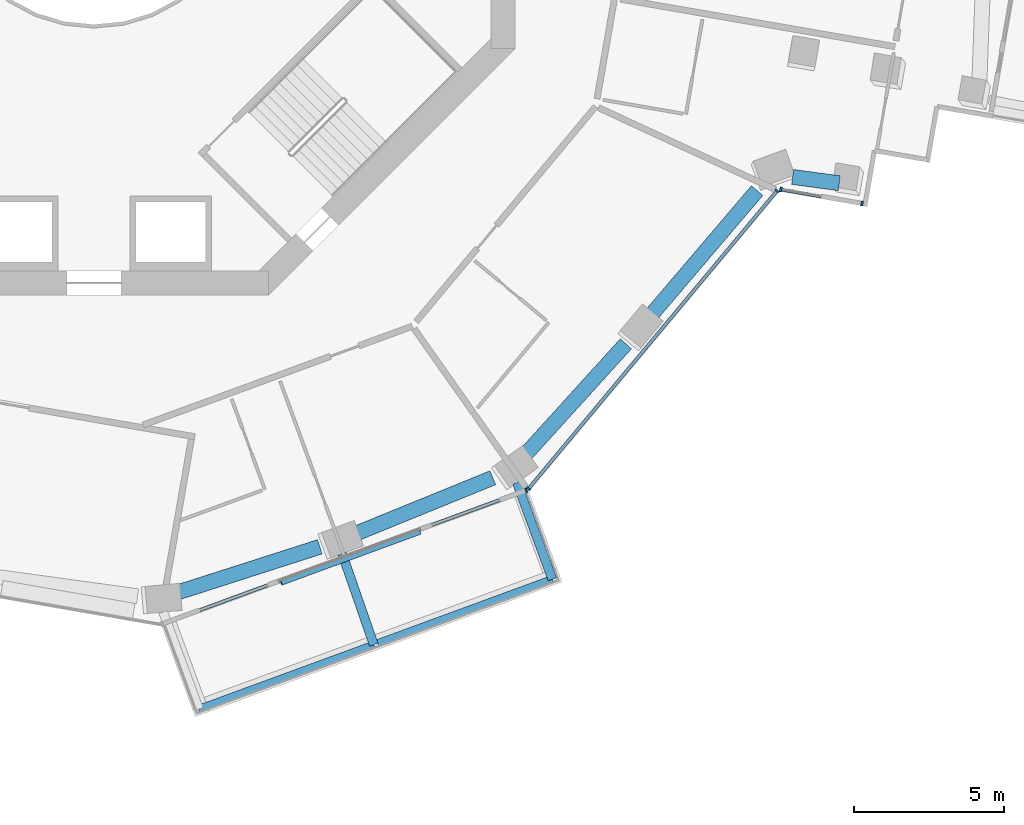
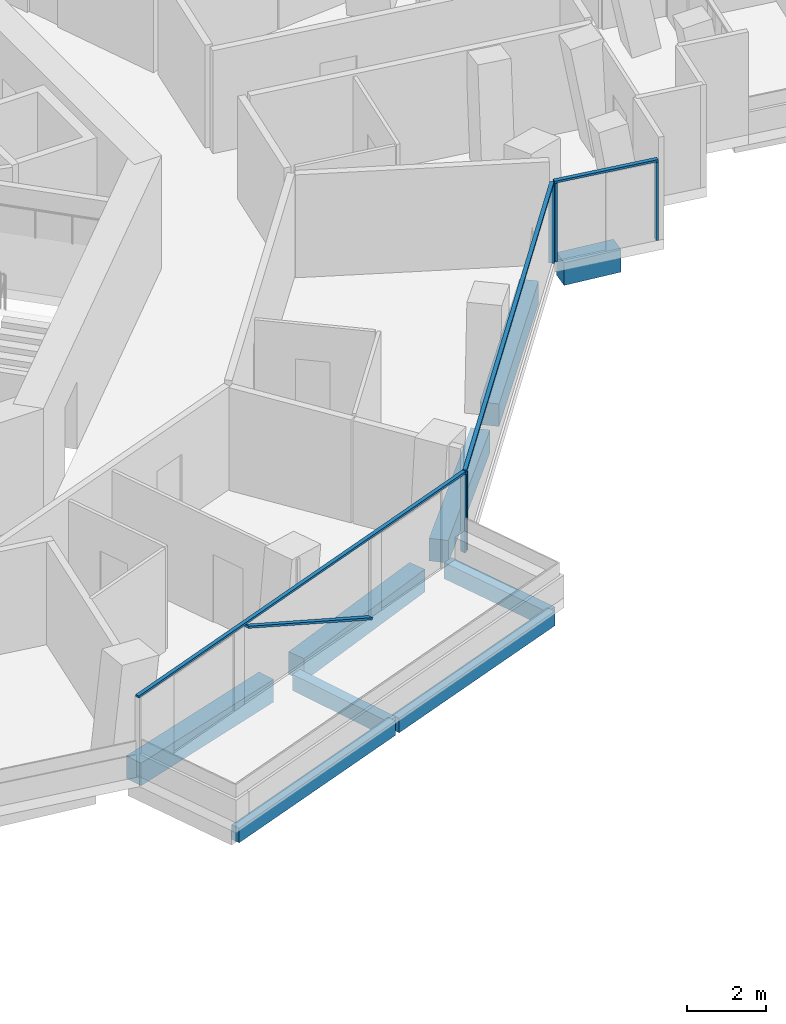
# One storey, part 5 of 24: 9 beams, 9 members, 3 elements without a shape of their own.
"""IFC4 building model written with IfcOpenShell, lengths in metres."""

from ifc_helpers import new_model, si_unit, direction, frame, origin, origin_2d, place, context, subcontext, project, spatial, rectangle, extrude, material, layer, layer_set, material_profile, profile_set, type_object, element, aggregate, save


model = new_model("IFC4")

# Units and contexts
model_context = context("Model", 3, precision=1e-05, world=origin(), true_north=direction((0.0, 1.0)))
body_context = subcontext(model_context, "Body", "Model", "MODEL_VIEW")
ifc_project = project(units=[si_unit("LENGTHUNIT", "METRE"), si_unit("AREAUNIT", "SQUARE_METRE"), si_unit("VOLUMEUNIT", "CUBIC_METRE"), si_unit("PLANEANGLEUNIT", "RADIAN"), si_unit("MASSUNIT", "GRAM", prefix="KILO")], contexts=[model_context])

# Site, building, storey
site_placement = place(None, origin())
site = spatial("IfcSite", under=ifc_project, at=site_placement, CompositionType="ELEMENT")
building_placement = place(site_placement, origin())
building = spatial("IfcBuilding", under=site, at=building_placement, Name="Verdalira Terraces Hotel", CompositionType="ELEMENT")
storey_placement = place(building_placement, frame((0.0, 0.0, 115.0)))
storey = spatial("IfcBuildingStorey", under=building, at=storey_placement, Name="L27", CompositionType="ELEMENT", Elevation=115.0)

# Beams
ifc_material_1 = material(Name="Concrete C40", Category="concrete")
ifc_material_profile_1 = material_profile(ifc_material_1, rectangle(XDim=0.300049, YDim=0.5, at=origin_2d()), Name="RC 300X500")
ifc_profile_set_1 = profile_set([ifc_material_profile_1], Name="Concrete C40")
beam_type_1 = type_object("IfcBeamType", Name="Balcony cantilever beam RC 300X500 C40", PredefinedType="BEAM", material=ifc_profile_set_1)
beam_1_placement = place(storey_placement, frame((8.251465, -22.598633, -0.560059), z_axis=(0.328875585, -0.944373258, 0.0), x_axis=(0.944373258, 0.328875585, 0.0)))
element("IfcBeam", 1, at=beam_1_placement, inside=storey, type_object=beam_type_1, Name="Balcony cantilever beam R26-2", PredefinedType="BEAM", context=body_context, shape_type="SweptSolid", body=[
    extrude(rectangle(XDim=0.300049, YDim=0.5, at=origin_2d()), origin(), (0.0, 0.0, 1.0), 3.200928),
])
beam_2_placement = place(storey_placement, frame((14.062012, -20.234619, -0.560059), z_axis=(0.344655583, -0.93872921, 0.0), x_axis=(0.93872921, 0.344655583, 0.0)))
element("IfcBeam", 2, at=beam_2_placement, inside=storey, type_object=beam_type_1, Name="Balcony cantilever beam R26-3", PredefinedType="BEAM", context=body_context, shape_type="SweptSolid", body=[
    extrude(rectangle(XDim=0.300049, YDim=0.5, at=origin_2d()), origin(), (0.0, 0.0, 1.0), 3.417236),
])
ifc_material_2 = material(Name="Concrete C40", Category="concrete")
ifc_material_profile_2 = material_profile(ifc_material_2, rectangle(XDim=0.25, YDim=0.449951, at=origin_2d()), Name="RC 250X450")
ifc_profile_set_2 = profile_set([ifc_material_profile_2], Name="Concrete C40")
beam_type_2 = type_object("IfcBeamType", Name="Balcony edge beam RC 250X450 C40", PredefinedType="BEAM", material=ifc_profile_set_2)
beam_3_placement = place(storey_placement, frame((3.483887, -27.758301, -0.534912), z_axis=(0.938740488, 0.344624864, 0.0), x_axis=(-0.344624864, 0.938740488, 0.0)))
element("IfcBeam", 3, at=beam_3_placement, inside=storey, type_object=beam_type_2, Name="Balcony edge beam R26-1", PredefinedType="BEAM", context=body_context, shape_type="SweptSolid", body=[
    extrude(rectangle(XDim=0.25, YDim=0.449951, at=origin_2d()), origin(), (0.0, 0.0, 1.0), 6.200195),
])
beam_4_placement = place(storey_placement, frame((9.444824, -25.569824, -0.534912), z_axis=(0.938738186, 0.344631132, 0.0), x_axis=(-0.344631132, 0.938738186, 0.0)))
element("IfcBeam", 4, at=beam_4_placement, inside=storey, type_object=beam_type_2, Name="Balcony edge beam R26-2", PredefinedType="BEAM", context=body_context, shape_type="SweptSolid", body=[
    extrude(rectangle(XDim=0.25, YDim=0.449951, at=origin_2d()), origin(), (0.0, 0.0, 1.0), 6.173096),
])

# Curtain wall, member
ifc_material_3 = material(Name="Clear glass", Category="glass")
ifc_layer_1 = layer(ifc_material_3, 0.14990234375)
ifc_layer_set_1 = layer_set([ifc_layer_1], Name="CW1 curtain wall")
curtain_wall_type_1 = type_object("IfcCurtainWallType", Name="CW1 curtain wall", PredefinedType="NOTDEFINED", material=ifc_layer_set_1)
curtain_wall_1_placement = place(storey_placement, origin())
curtain_wall_1 = element("IfcCurtainWall", 5, at=curtain_wall_1_placement, inside=storey, type_object=curtain_wall_type_1, Name="CW1 curtain wall L27 edge 26", PredefinedType="NOTDEFINED")
ifc_material_4 = material(Name="Terracotta frame", Category="masonry")
ifc_material_profile_3 = material_profile(ifc_material_4, rectangle(XDim=0.060059, YDim=0.149902, at=origin_2d()), Name="MU 60x150")
ifc_profile_set_3 = profile_set([ifc_material_profile_3], Name="Terracotta frame")
member_type_1 = type_object("IfcMemberType", Name="CW1 mullion 60x150", PredefinedType="MULLION", material=ifc_profile_set_3)
member_1_placement = place(storey_placement, frame((14.370605, -20.48584, 0.0), z_axis=(0.0, 0.0, 1.0), x_axis=(0.938733858, 0.344642923, 0.0)))
member_1 = element("IfcMember", 6, at=member_1_placement, type_object=member_type_1, Name="CW1 mullion", PredefinedType="MULLION", context=body_context, shape_type="SweptSolid", body=[
    extrude(rectangle(XDim=0.060059, YDim=0.149902, at=origin_2d()), origin(), (0.0, 0.0, 1.0), 2.425049),
])

# Curtain wall, members
curtain_wall_2_placement = place(storey_placement, origin())
curtain_wall_2 = element("IfcCurtainWall", 7, at=curtain_wall_2_placement, inside=storey, type_object=curtain_wall_type_1, Name="CW1 curtain wall L27 edge 27", PredefinedType="NOTDEFINED")
member_2_placement = place(storey_placement, frame((14.449707, -20.429932, 0.0), z_axis=(0.0, 0.0, 1.0), x_axis=(0.640645907, 0.767836456, 0.0)))
member_2 = element("IfcMember", 8, at=member_2_placement, type_object=member_type_1, Name="CW1 mullion", PredefinedType="MULLION", context=body_context, shape_type="SweptSolid", body=[
    extrude(rectangle(XDim=0.060059, YDim=0.149902, at=origin_2d()), origin(), (0.0, 0.0, 1.0), 2.425049),
])
member_3_placement = place(storey_placement, frame((22.713867, -10.525146, 0.0), z_axis=(0.0, 0.0, 1.0), x_axis=(0.640645907, 0.767836456, 0.0)))
member_3 = element("IfcMember", 9, at=member_3_placement, type_object=member_type_1, Name="CW1 mullion", PredefinedType="MULLION", context=body_context, shape_type="SweptSolid", body=[
    extrude(rectangle(XDim=0.060059, YDim=0.149902, at=origin_2d()), origin(), (0.0, 0.0, 1.0), 2.425049),
])

# Member
ifc_material_5 = material(Name="Terracotta frame", Category="masonry")
ifc_material_profile_4 = material_profile(ifc_material_5, rectangle(XDim=0.110107, YDim=0.064941, at=origin_2d()), Name="TR 65x110")
ifc_profile_set_4 = profile_set([ifc_material_profile_4], Name="Terracotta frame")
member_type_2 = type_object("IfcMemberType", Name="CW1 transom 65x110", PredefinedType="USERDEFINED", material=ifc_profile_set_4)
member_4_placement = place(storey_placement, frame((2.23291, -24.941895, 2.45752), z_axis=(0.938732336, 0.344647069, 0.0), x_axis=(-0.344647069, 0.938732336, 0.0)))
member_4 = element("IfcMember", 10, at=member_4_placement, type_object=member_type_2, Name="CW1 transom", ObjectType="TRANSOM", PredefinedType="USERDEFINED", context=body_context, shape_type="SweptSolid", body=[
    extrude(rectangle(XDim=0.110107, YDim=0.064941, at=origin_2d()), origin(), (0.0, 0.0, 1.0), 12.959717),
])

member_5_placement = place(storey_placement, frame((14.43042, -20.453125, 2.45752), z_axis=(0.64064381, 0.767838205, 0.0), x_axis=(-0.767838205, 0.64064381, 0.0)))
member_5 = element("IfcMember", 11, at=member_5_placement, type_object=member_type_2, Name="CW1 transom", ObjectType="TRANSOM", PredefinedType="USERDEFINED", context=body_context, shape_type="SweptSolid", body=[
    extrude(rectangle(XDim=0.110107, YDim=0.064941, at=origin_2d()), origin(), (0.0, 0.0, 1.0), 12.959961),
])

aggregate(curtain_wall_2, [member_2, member_3, member_5])

# Curtain wall, members
ifc_material_6 = material(Name="Clear glass", Category="glass")
ifc_layer_2 = layer(ifc_material_6, 0.14990234375)
ifc_layer_set_2 = layer_set([ifc_layer_2], Name="CW2 curtain wall")
curtain_wall_type_2 = type_object("IfcCurtainWallType", Name="CW2 curtain wall", PredefinedType="NOTDEFINED", material=ifc_layer_set_2)
curtain_wall_3_placement = place(storey_placement, origin())
curtain_wall_3 = element("IfcCurtainWall", 12, at=curtain_wall_3_placement, inside=storey, type_object=curtain_wall_type_2, Name="CW2 curtain wall L27 edge 28", PredefinedType="NOTDEFINED")
ifc_material_7 = material(Name="Terracotta frame", Category="masonry")
ifc_material_profile_5 = material_profile(ifc_material_7, rectangle(XDim=0.070068, YDim=0.149902, at=origin_2d()), Name="MU 70x150")
ifc_profile_set_5 = profile_set([ifc_material_profile_5], Name="Terracotta frame")
member_type_3 = type_object("IfcMemberType", Name="CW2 mullion 70x150", PredefinedType="MULLION", material=ifc_profile_set_5)
member_6_placement = place(storey_placement, frame((22.837891, -10.482178, 0.0), z_axis=(0.0, 0.0, 1.0), x_axis=(0.98528883, -0.170897402, 0.0)))
member_6 = element("IfcMember", 13, at=member_6_placement, type_object=member_type_3, Name="CW2 mullion", PredefinedType="MULLION", context=body_context, shape_type="SweptSolid", body=[
    extrude(rectangle(XDim=0.070068, YDim=0.149902, at=origin_2d()), origin(), (0.0, 0.0, 1.0), 2.425049),
])
member_7_placement = place(storey_placement, frame((25.536865, -10.950195, 0.0), z_axis=(0.0, 0.0, 1.0), x_axis=(0.98528883, -0.170897402, 0.0)))
member_7 = element("IfcMember", 14, at=member_7_placement, type_object=member_type_3, Name="CW2 mullion", PredefinedType="MULLION", context=body_context, shape_type="SweptSolid", body=[
    extrude(rectangle(XDim=0.070068, YDim=0.149902, at=origin_2d()), origin(), (0.0, 0.0, 1.0), 2.425049),
])
ifc_material_8 = material(Name="Terracotta frame", Category="masonry")
ifc_material_profile_6 = material_profile(ifc_material_8, rectangle(XDim=0.11499, YDim=0.064941, at=origin_2d()), Name="TR 65x115")
ifc_profile_set_6 = profile_set([ifc_material_profile_6], Name="Terracotta frame")
member_type_4 = type_object("IfcMemberType", Name="CW2 transom 65x115", PredefinedType="USERDEFINED", material=ifc_profile_set_6)
member_8_placement = place(storey_placement, frame((22.803467, -10.476074, 2.45752), z_axis=(0.985282467, -0.170934081, 0.0), x_axis=(0.170934081, 0.985282467, 0.0)))
member_8 = element("IfcMember", 15, at=member_8_placement, type_object=member_type_4, Name="CW2 transom", ObjectType="TRANSOM", PredefinedType="USERDEFINED", context=body_context, shape_type="SweptSolid", body=[
    extrude(rectangle(XDim=0.11499, YDim=0.064941, at=origin_2d()), origin(), (0.0, 0.0, 1.0), 2.809326),
])
aggregate(curtain_wall_3, [member_6, member_7, member_8])

# Member
ifc_material_9 = material(Name="Terracotta frame", Category="masonry")
ifc_material_profile_7 = material_profile(ifc_material_9, rectangle(XDim=0.149902, YDim=0.060059, at=origin_2d()), Name="GB 60x150")
ifc_profile_set_7 = profile_set([ifc_material_profile_7], Name="Terracotta frame")
member_type_5 = type_object("IfcMemberType", Name="Diagonal glazing bar 60x150", PredefinedType="USERDEFINED", material=ifc_profile_set_7)
member_9_placement = place(storey_placement, frame((6.230469, -23.569092, 2.397217), z_axis=(0.845310114, 0.310359301, -0.434888394), x_axis=(-0.34465818, 0.938728256, 0.0)))
member_9 = element("IfcMember", 16, at=member_9_placement, type_object=member_type_5, Name="Diagonal glazing bar", ObjectType="GLAZING BAR", PredefinedType="USERDEFINED", context=body_context, shape_type="SweptSolid", body=[
    extrude(rectangle(XDim=0.149902, YDim=0.060059, at=origin_2d()), origin(), (0.0, 0.0, 1.0), 5.448242),
])

aggregate(curtain_wall_1, [member_1, member_4, member_9])

# Beams
ifc_material_10 = material(Name="Concrete C70", Category="concrete")
ifc_material_profile_8 = material_profile(ifc_material_10, rectangle(XDim=0.5, YDim=0.699951, at=origin_2d()), Name="RC 500X700")
ifc_profile_set_8 = profile_set([ifc_material_profile_8], Name="Concrete C70")
beam_type_3 = type_object("IfcBeamType", Name="Spandrel beam RC 500X700 C70", PredefinedType="SPANDREL", material=ifc_profile_set_8)
beam_5_placement = place(storey_placement, frame((2.732422, -23.897949, -0.659912), z_axis=(0.952209707, 0.305445042, 0.0), x_axis=(-0.305445042, 0.952209707, 0.0)))
element("IfcBeam", 17, at=beam_5_placement, inside=storey, type_object=beam_type_3, Name="Spandrel beam B17", PredefinedType="SPANDREL", context=body_context, shape_type="SweptSolid", body=[
    extrude(rectangle(XDim=0.5, YDim=0.699951, at=origin_2d()), origin(), (0.0, 0.0, 1.0), 5.015625),
])
beam_6_placement = place(storey_placement, frame((8.619629, -21.961426, -0.659912), z_axis=(0.926052012, 0.377395907, 0.0), x_axis=(-0.377395907, 0.926052012, 0.0)))
element("IfcBeam", 18, at=beam_6_placement, inside=storey, type_object=beam_type_3, Name="Spandrel beam B18", PredefinedType="SPANDREL", context=body_context, shape_type="SweptSolid", body=[
    extrude(rectangle(XDim=0.5, YDim=0.699951, at=origin_2d()), origin(), (0.0, 0.0, 1.0), 5.012207),
])
beam_7_placement = place(storey_placement, frame((14.315186, -19.329834, -0.659912), z_axis=(0.671955299, 0.740591707, 0.0), x_axis=(-0.740591707, 0.671955299, 0.0)))
element("IfcBeam", 19, at=beam_7_placement, inside=storey, type_object=beam_type_3, Name="Spandrel beam B19", PredefinedType="SPANDREL", context=body_context, shape_type="SweptSolid", body=[
    extrude(rectangle(XDim=0.5, YDim=0.699951, at=origin_2d()), origin(), (0.0, 0.0, 1.0), 5.015381),
])
beam_8_placement = place(storey_placement, frame((18.453857, -14.741699, -0.659912), z_axis=(0.648642206, 0.761093482, 0.0), x_axis=(-0.761093482, 0.648642206, 0.0)))
element("IfcBeam", 20, at=beam_8_placement, inside=storey, type_object=beam_type_3, Name="Spandrel beam B20", PredefinedType="SPANDREL", context=body_context, shape_type="SweptSolid", body=[
    extrude(rectangle(XDim=0.5, YDim=0.699951, at=origin_2d()), origin(), (0.0, 0.0, 1.0), 5.544922),
])
beam_9_placement = place(storey_placement, frame((23.22998, -10.066895, -0.659912), z_axis=(0.990938072, -0.134319534, 0.0), x_axis=(0.134319534, 0.990938072, 0.0)))
element("IfcBeam", 21, at=beam_9_placement, inside=storey, type_object=beam_type_3, Name="Spandrel beam B21", PredefinedType="SPANDREL", context=body_context, shape_type="SweptSolid", body=[
    extrude(rectangle(XDim=0.5, YDim=0.699951, at=origin_2d()), origin(), (0.0, 0.0, 1.0), 1.564941),
])

save(model, "model.ifc")
